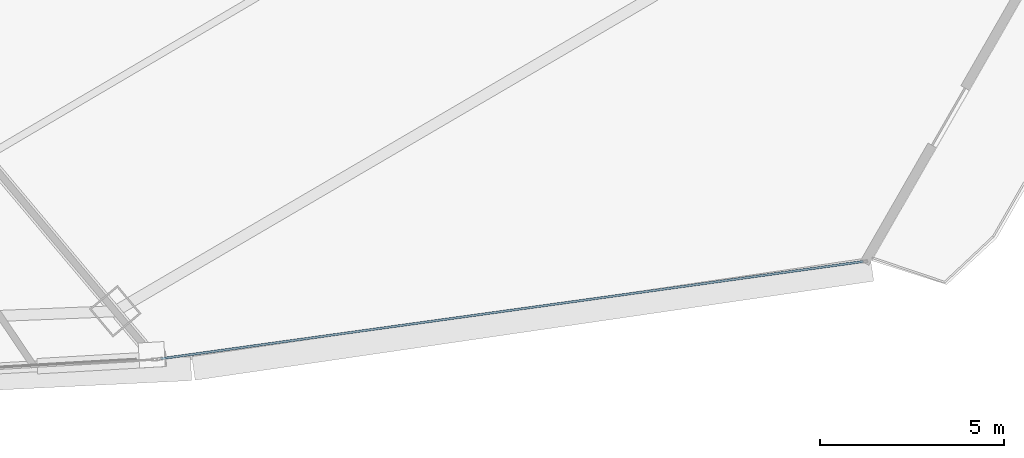
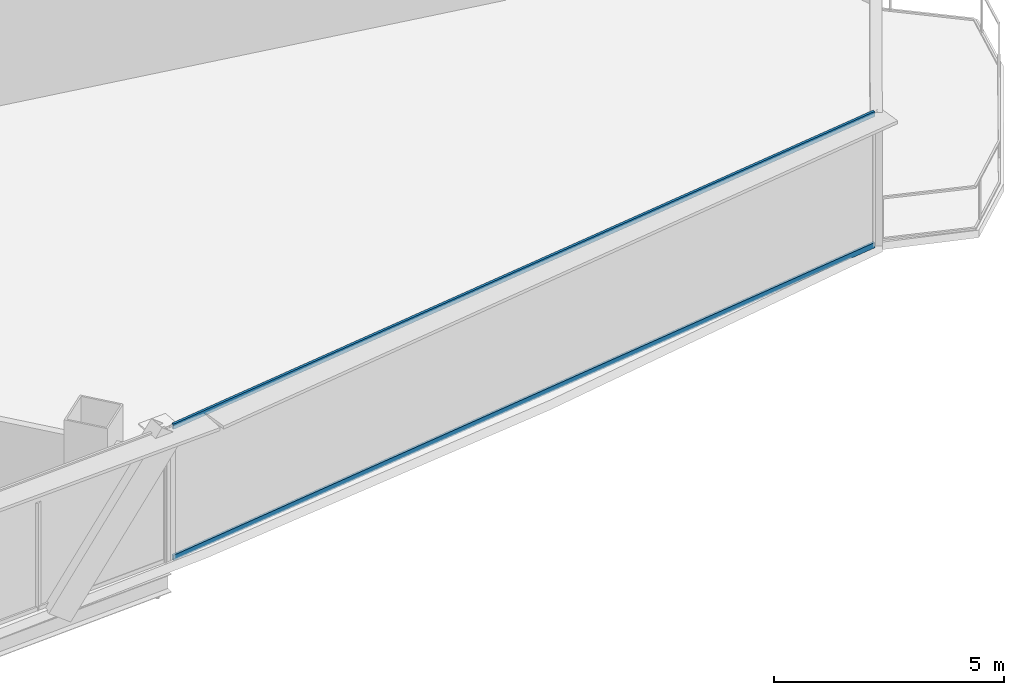
# One storey, part 19 of 36: 2 members, 1 element without a shape of its own.
"""IFC4 building model written with IfcOpenShell, lengths in metres."""

from ifc_helpers import new_model, si_unit, direction, frame, origin, origin_2d, place, context, subcontext, project, spatial, hollow_rectangle, extrude, source, transform, mapped, material, layer, layer_set, material_profile, profile_set, type_object, element, aggregate, save


model = new_model("IFC4")

# Units and contexts
model_context = context("Model", 3, precision=1e-05, world=origin(), true_north=direction((0.0, 1.0)))
body_context = subcontext(model_context, "Body", "Model", "MODEL_VIEW")
ifc_project = project(units=[si_unit("LENGTHUNIT", "METRE"), si_unit("AREAUNIT", "SQUARE_METRE"), si_unit("VOLUMEUNIT", "CUBIC_METRE"), si_unit("PLANEANGLEUNIT", "RADIAN"), si_unit("MASSUNIT", "GRAM", prefix="KILO"), si_unit("THERMODYNAMICTEMPERATUREUNIT", "KELVIN"), si_unit("POWERUNIT", "WATT")], contexts=[model_context])

# Site, building, storey
site_placement = place(None, origin())
site = spatial("IfcSite", under=ifc_project, at=site_placement, CompositionType="ELEMENT")
building_placement = place(site_placement, origin())
building = spatial("IfcBuilding", under=site, at=building_placement, Name="Yunzhuo Pagoda Commons", CompositionType="ELEMENT")
storey_placement = place(building_placement, frame((0.0, 0.0, 107.780029296875)))
storey = spatial("IfcBuildingStorey", under=building, at=storey_placement, Name="L27", CompositionType="ELEMENT", Elevation=107.780029296875)

# Curtain wall, members
ifc_material = material(Name="Anodized aluminium 6063-T6", Category="aluminium")
ifc_layer = layer(ifc_material, 0.1650390625)
ifc_layer_set = layer_set([ifc_layer], Name="Anodized aluminium 6063-T6")
curtain_wall_type = type_object("IfcCurtainWallType", Name="CW-LOW Low-Zone Ribbon Curtain Wall", PredefinedType="NOTDEFINED", material=ifc_layer_set)
curtain_wall_placement = place(storey_placement, origin())
curtain_wall = element("IfcCurtainWall", 1, at=curtain_wall_placement, inside=storey, type_object=curtain_wall_type, Name="L27 curtain wall CW-L27-F1B5", PredefinedType="NOTDEFINED")
ifc_material_profile = material_profile(ifc_material, hollow_rectangle(XDim=0.06005859375, YDim=0.139892578125, WallThickness=0.00341796875, at=origin_2d()), Name="Anodized aluminium 6063-T6")
ifc_profile_set = profile_set([ifc_material_profile], Name="Anodized aluminium 6063-T6")
member_type = type_object("IfcMemberType", Name="CW-LOW-T Transom RHS 140x60x3.5", PredefinedType="USERDEFINED", material=ifc_profile_set)
shared_shape = source(origin(), body_context, "Body", "SweptSolid", [
    extrude(hollow_rectangle(XDim=0.06005859375, YDim=0.139892578125, WallThickness=0.00341796875, at=origin_2d()), origin(), (0.0, 0.0, 1.0), 19.305908203125),
])
member_1_placement = place(storey_placement, frame((65.675048828125, 12.820068359375, 0.030029296875), z_axis=(0.990559643885, 0.137082427419, 0.0), x_axis=(-0.137082427419, 0.990559643885, 0.0)))
member_1 = element("IfcMember", 2, at=member_1_placement, type_object=member_type, Name="CW transom 1.1", ObjectType="TRANSOM", PredefinedType="USERDEFINED", context=body_context, shape_type="MappedRepresentation", body=[
    mapped(shared_shape, transform((0.0, 0.0, 0.0), scale=1.0)),
])
member_2_placement = place(storey_placement, frame((65.675048828125, 12.820068359375, 3.510009765625), z_axis=(0.990559643885, 0.137082427419, 0.0), x_axis=(-0.137082427419, 0.990559643885, 0.0)))
member_2 = element("IfcMember", 3, at=member_2_placement, type_object=member_type, Name="CW transom 1.2", ObjectType="TRANSOM", PredefinedType="USERDEFINED", context=body_context, shape_type="MappedRepresentation", body=[
    mapped(shared_shape, transform((0.0, 0.0, 0.0), scale=1.0)),
])
aggregate(curtain_wall, [member_1, member_2])

save(model, "model.ifc")
